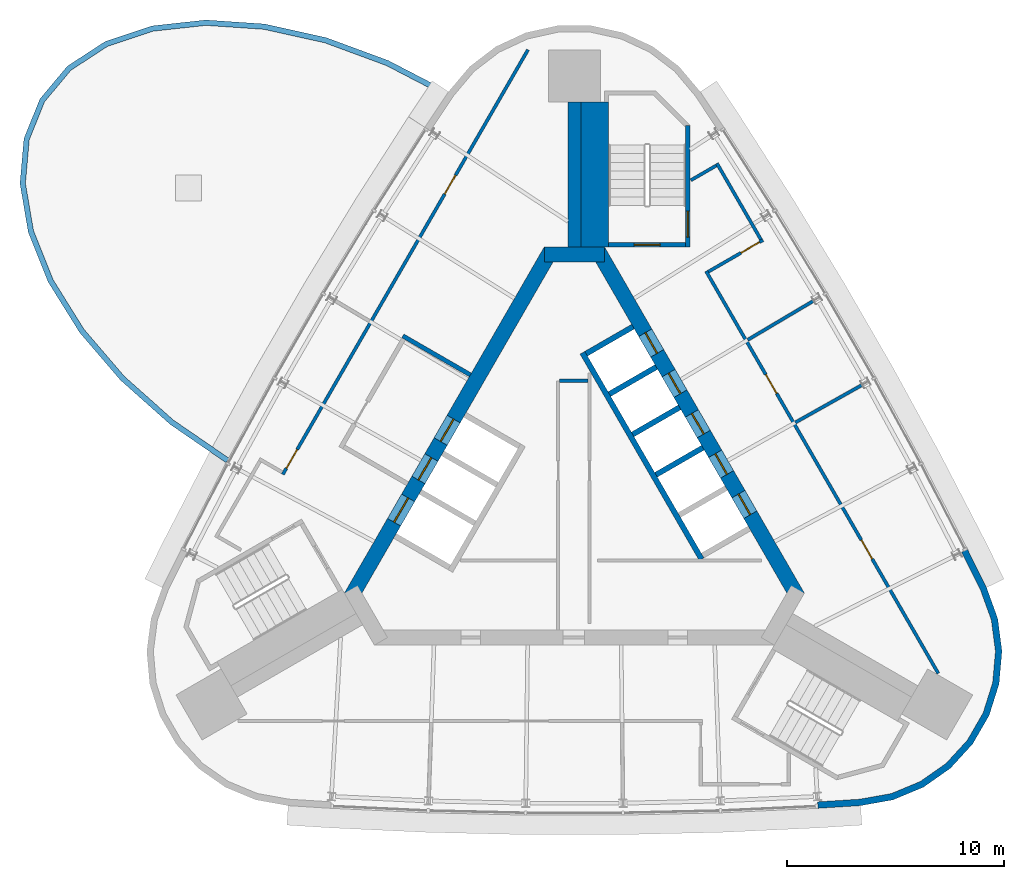
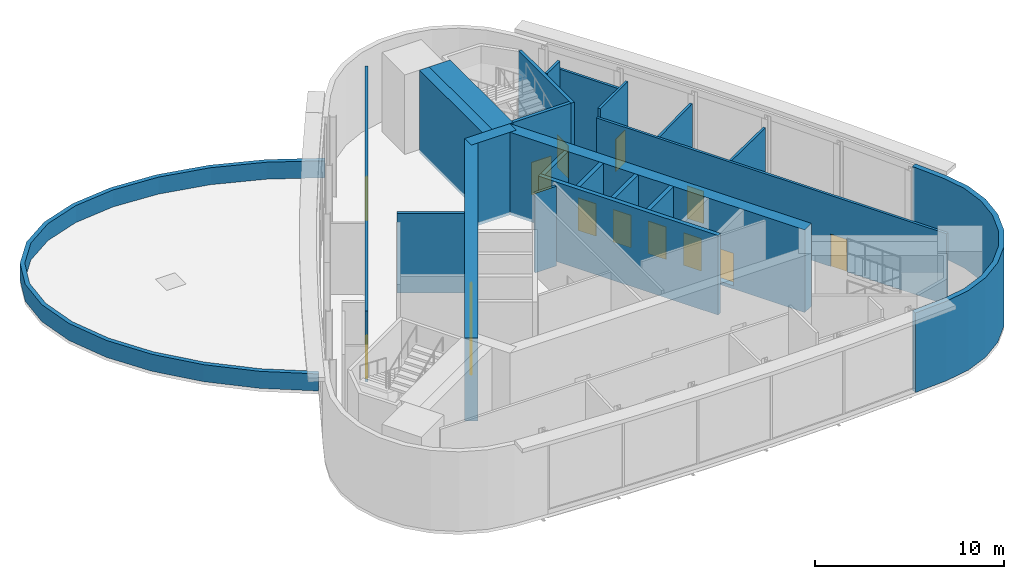
# One storey, part 5 of 8: 23 walls, 15 doors, 15 openings.
"""IFC4 building model written with IfcOpenShell, lengths in metres."""

from ifc_helpers import new_model, si_unit, direction, frame, frame_2d, origin, place, context, subcontext, project, spatial, polyline, rectangle, outline, extrude, material, layer, layer_set, type_object, element, fill, save


model = new_model("IFC4")

# Units and contexts
model_context = context("Model", 3, precision=1e-05, world=origin(), true_north=direction((0.0, 1.0)))
body_context = subcontext(model_context, "Body", "Model", "MODEL_VIEW")
ifc_project = project(units=[si_unit("LENGTHUNIT", "METRE"), si_unit("AREAUNIT", "SQUARE_METRE"), si_unit("VOLUMEUNIT", "CUBIC_METRE"), si_unit("PLANEANGLEUNIT", "RADIAN"), si_unit("MASSUNIT", "GRAM", prefix="KILO")], contexts=[model_context])

# Site, building, storey
site_placement = place(None, origin())
site = spatial("IfcSite", under=ifc_project, at=site_placement, CompositionType="ELEMENT")
building_placement = place(site_placement, origin())
building = spatial("IfcBuilding", under=site, at=building_placement, Name="Noor Cloister Tower", CompositionType="ELEMENT")
storey_placement = place(building_placement, frame((0.0, 0.0, 274.199951171875)))
storey = spatial("IfcBuildingStorey", under=building, at=storey_placement, Name="L70", CompositionType="ELEMENT", Elevation=274.199951171875)

# Walls
ifc_material_1 = material(Name="Concrete C60/75", Category="concrete")
ifc_layer_1 = layer(ifc_material_1, 0.60009765625)
ifc_layer_set_1 = layer_set([ifc_layer_1], Name="Buttress wall 600 C60/75")
wall_type_1 = type_object("IfcWallType", Name="Buttress wall 600 C60/75", PredefinedType="SHEAR", material=ifc_layer_set_1)
wall_1_placement = place(storey_placement, frame((0.0, 11.456298828125, -0.199951171875), z_axis=(0.0, 0.0, 1.0), x_axis=(0.0, 1.0, 0.0)))
element("IfcWall", 1, at=wall_1_placement, inside=storey, type_object=wall_type_1, Name="Buttress wall N L70", PredefinedType="SHEAR", context=body_context, shape_type="SweptSolid", body=[
    extrude(rectangle(XDim=6.6787109375, YDim=0.60009765625, at=frame_2d((3.33935546875, 0.0))), origin(), (0.0, 0.0, 1.0), 5.35009765625),
])
ifc_material_2 = material(Name="Concrete C30/37", Category="concrete")
ifc_layer_2 = layer(ifc_material_2, 0.14990234375)
ifc_layer_set_2 = layer_set([ifc_layer_2], Name="Core partition 150 C30/37")
wall_type_2 = type_object("IfcWallType", Name="Core partition 150 C30/37", PredefinedType="PARTITIONING", material=ifc_layer_set_2)
wall_2_placement = place(storey_placement, frame((-0.6787109375, 5.271728515625, 0.0), z_axis=(0.0, 0.0, 1.0), x_axis=(1.0, 0.0, 0.0)))
element("IfcWall", 2, at=wall_2_placement, inside=storey, type_object=wall_type_2, Name="Core room partition L70 3", PredefinedType="PARTITIONING", context=body_context, shape_type="SweptSolid", body=[
    extrude(rectangle(XDim=1.300048828125, YDim=0.14990234375, at=frame_2d((0.64990234375, 0.0))), origin(), (0.0, 0.0, 1.0), 5.150146484375),
])

# Wall, openings, doors
ifc_material_3 = material(Name="Concrete C60/75", Category="concrete")
ifc_layer_3 = layer(ifc_material_3, 0.699951171875)
ifc_layer_set_3 = layer_set([ifc_layer_3], Name="Core wall 700 C60/75")
wall_type_3 = type_object("IfcWallType", Name="Core wall 700 C60/75", PredefinedType="SHEAR", material=ifc_layer_set_3)
wall_3_placement = place(storey_placement, frame((10.311279296875, -4.703125, -0.199951171875), z_axis=(0.0, 0.0, 1.0), x_axis=(-0.500001446645, 0.866024568562, 0.0)))
wall_3 = element("IfcWall", 3, at=wall_3_placement, inside=storey, type_object=wall_type_3, Name="Core wall L70 3", PredefinedType="SHEAR", context=body_context, shape_type="SweptSolid", body=[
    extrude(rectangle(XDim=18.45751953125, YDim=0.699951171875, at=frame_2d((9.228759765625, 0.0))), origin(), (0.0, 0.0, 1.0), 5.35009765625),
])
opening_1_placement = place(wall_3_placement, frame((4.378662109375, 0.0, 0.199951171875)))
opening_1 = element("IfcOpeningElement", 4, at=opening_1_placement, cuts=wall_3, Name="Opening L70-HR1", PredefinedType="OPENING", context=body_context, shape_type="SweptSolid", body=[
    extrude(rectangle(XDim=1.10009765625, YDim=2.10009765625, at=frame_2d((0.550048828125, 1.050048828125))), frame((0.0, 0.35986328125, 0.0), z_axis=(0.0, -1.0, 0.0), x_axis=(1.0, 0.0, 0.0)), (0.0, 0.0, 1.0), 0.719970703125),
])
opening_2_placement = place(wall_3_placement, frame((6.52880859375, 0.0, 0.199951171875)))
opening_2 = element("IfcOpeningElement", 5, at=opening_2_placement, cuts=wall_3, Name="Opening L70-HR2", PredefinedType="OPENING", context=body_context, shape_type="SweptSolid", body=[
    extrude(rectangle(XDim=1.10009765625, YDim=2.10009765625, at=frame_2d((0.550048828125, 1.050048828125))), frame((0.0, 0.35986328125, 0.0), z_axis=(0.0, -1.0, 0.0), x_axis=(1.0, 0.0, 0.0)), (0.0, 0.0, 1.0), 0.719970703125),
])
opening_3_placement = place(wall_3_placement, frame((8.6787109375, 0.0, 0.199951171875)))
opening_3 = element("IfcOpeningElement", 6, at=opening_3_placement, cuts=wall_3, Name="Opening L70-HR3", PredefinedType="OPENING", context=body_context, shape_type="SweptSolid", body=[
    extrude(rectangle(XDim=1.10009765625, YDim=2.10009765625, at=frame_2d((0.550048828125, 1.050048828125))), frame((0.0, 0.35986328125, 0.0), z_axis=(0.0, -1.0, 0.0), x_axis=(1.0, 0.0, 0.0)), (0.0, 0.0, 1.0), 0.719970703125),
])
opening_4_placement = place(wall_3_placement, frame((10.82861328125, 0.0, 0.199951171875)))
opening_4 = element("IfcOpeningElement", 7, at=opening_4_placement, cuts=wall_3, Name="Opening L70-HR4", PredefinedType="OPENING", context=body_context, shape_type="SweptSolid", body=[
    extrude(rectangle(XDim=1.10009765625, YDim=2.10009765625, at=frame_2d((0.550048828125, 1.050048828125))), frame((0.0, 0.35986328125, 0.0), z_axis=(0.0, -1.0, 0.0), x_axis=(1.0, 0.0, 0.0)), (0.0, 0.0, 1.0), 0.719970703125),
])
opening_5_placement = place(wall_3_placement, frame((12.978759765625, 0.0, 0.199951171875)))
opening_5 = element("IfcOpeningElement", 8, at=opening_5_placement, cuts=wall_3, Name="Opening L70-HR5", PredefinedType="OPENING", context=body_context, shape_type="SweptSolid", body=[
    extrude(rectangle(XDim=1.10009765625, YDim=2.10009765625, at=frame_2d((0.550048828125, 1.050048828125))), frame((0.0, 0.35986328125, 0.0), z_axis=(0.0, -1.0, 0.0), x_axis=(1.0, 0.0, 0.0)), (0.0, 0.0, 1.0), 0.719970703125),
])
ifc_material_4 = material(Name="Stainless steel", Category="steel")
door_type_1 = type_object("IfcDoorType", Name="Lift landing door 1100 x 2100", OperationType="DOUBLE_DOOR_SLIDING", PredefinedType="DOOR", material=ifc_material_4)
door_1_placement = place(opening_1_placement, origin())
door_1 = element("IfcDoor", 9, at=door_1_placement, inside=storey, type_object=door_type_1, Name="Landing door HR1 L70", OperationType="DOUBLE_DOOR_SLIDING", OverallHeight=2.10009765625, OverallWidth=1.10009765625, PredefinedType="DOOR", context=body_context, shape_type="SweptSolid", body=[
    extrude(rectangle(XDim=1.10009765625, YDim=2.10009765625, at=frame_2d((0.550048828125, 1.050048828125))), frame((0.0, 0.02490234375, 0.0), z_axis=(0.0, -1.0, 0.0), x_axis=(1.0, 0.0, 0.0)), (0.0, 0.0, 1.0), 0.050048828125),
])
fill(opening_1, door_1)
door_2_placement = place(opening_2_placement, origin())
door_2 = element("IfcDoor", 10, at=door_2_placement, inside=storey, type_object=door_type_1, Name="Landing door HR2 L70", OperationType="DOUBLE_DOOR_SLIDING", OverallHeight=2.10009765625, OverallWidth=1.10009765625, PredefinedType="DOOR", context=body_context, shape_type="SweptSolid", body=[
    extrude(rectangle(XDim=1.10009765625, YDim=2.10009765625, at=frame_2d((0.550048828125, 1.050048828125))), frame((0.0, 0.02490234375, 0.0), z_axis=(0.0, -1.0, 0.0), x_axis=(1.0, 0.0, 0.0)), (0.0, 0.0, 1.0), 0.050048828125),
])
fill(opening_2, door_2)
door_3_placement = place(opening_3_placement, origin())
door_3 = element("IfcDoor", 11, at=door_3_placement, inside=storey, type_object=door_type_1, Name="Landing door HR3 L70", OperationType="DOUBLE_DOOR_SLIDING", OverallHeight=2.10009765625, OverallWidth=1.10009765625, PredefinedType="DOOR", context=body_context, shape_type="SweptSolid", body=[
    extrude(rectangle(XDim=1.10009765625, YDim=2.10009765625, at=frame_2d((0.550048828125, 1.050048828125))), frame((0.0, 0.02490234375, 0.0), z_axis=(0.0, -1.0, 0.0), x_axis=(1.0, 0.0, 0.0)), (0.0, 0.0, 1.0), 0.050048828125),
])
fill(opening_3, door_3)
door_4_placement = place(opening_4_placement, origin())
door_4 = element("IfcDoor", 12, at=door_4_placement, inside=storey, type_object=door_type_1, Name="Landing door HR4 L70", OperationType="DOUBLE_DOOR_SLIDING", OverallHeight=2.10009765625, OverallWidth=1.10009765625, PredefinedType="DOOR", context=body_context, shape_type="SweptSolid", body=[
    extrude(rectangle(XDim=1.10009765625, YDim=2.10009765625, at=frame_2d((0.550048828125, 1.050048828125))), frame((0.0, 0.02490234375, 0.0), z_axis=(0.0, -1.0, 0.0), x_axis=(1.0, 0.0, 0.0)), (0.0, 0.0, 1.0), 0.050048828125),
])
fill(opening_4, door_4)
door_5_placement = place(opening_5_placement, origin())
door_5 = element("IfcDoor", 13, at=door_5_placement, inside=storey, type_object=door_type_1, Name="Landing door HR5 L70", OperationType="DOUBLE_DOOR_SLIDING", OverallHeight=2.10009765625, OverallWidth=1.10009765625, PredefinedType="DOOR", context=body_context, shape_type="SweptSolid", body=[
    extrude(rectangle(XDim=1.10009765625, YDim=2.10009765625, at=frame_2d((0.550048828125, 1.050048828125))), frame((0.0, 0.02490234375, 0.0), z_axis=(0.0, -1.0, 0.0), x_axis=(1.0, 0.0, 0.0)), (0.0, 0.0, 1.0), 0.050048828125),
])
fill(opening_5, door_5)

# Wall
wall_4_placement = place(storey_placement, frame((1.3857421875, 11.1064453125, -0.199951171875), z_axis=(0.0, 0.0, 1.0), x_axis=(-1.0, 0.0, 0.0)))
element("IfcWall", 14, at=wall_4_placement, inside=storey, type_object=wall_type_3, Name="Core wall L70 4", PredefinedType="SHEAR", context=body_context, shape_type="SweptSolid", body=[
    extrude(rectangle(XDim=2.771484375, YDim=0.699951171875, at=frame_2d((1.3857421875, 0.0))), origin(), (0.0, 0.0, 1.0), 5.35009765625),
])

# Wall, openings, doors
wall_5_placement = place(storey_placement, frame((-1.08251953125, 11.281494140625, -0.199951171875), z_axis=(0.0, 0.0, 1.0), x_axis=(-0.500001446645, -0.866024568562, 0.0)))
wall_5 = element("IfcWall", 15, at=wall_5_placement, inside=storey, type_object=wall_type_3, Name="Core wall L70 5", PredefinedType="SHEAR", context=body_context, shape_type="SweptSolid", body=[
    extrude(rectangle(XDim=18.45751953125, YDim=0.699951171875, at=frame_2d((9.228759765625, 0.0))), origin(), (0.0, 0.0, 1.0), 5.35009765625),
])
opening_6_placement = place(wall_5_placement, frame((8.978759765625, 0.0, 0.199951171875)))
opening_6 = element("IfcOpeningElement", 16, at=opening_6_placement, cuts=wall_5, Name="Opening L70-FF1", PredefinedType="OPENING", context=body_context, shape_type="SweptSolid", body=[
    extrude(rectangle(XDim=1.199951171875, YDim=2.10009765625, at=frame_2d((0.60009765625, 1.050048828125))), frame((0.0, 0.35986328125, 0.0), z_axis=(0.0, -1.0, 0.0), x_axis=(1.0, 0.0, 0.0)), (0.0, 0.0, 1.0), 0.719970703125),
])
opening_7_placement = place(wall_5_placement, frame((11.02880859375, 0.0, 0.199951171875)))
opening_7 = element("IfcOpeningElement", 17, at=opening_7_placement, cuts=wall_5, Name="Opening L70-FF2", PredefinedType="OPENING", context=body_context, shape_type="SweptSolid", body=[
    extrude(rectangle(XDim=1.199951171875, YDim=2.10009765625, at=frame_2d((0.60009765625, 1.050048828125))), frame((0.0, 0.35986328125, 0.0), z_axis=(0.0, -1.0, 0.0), x_axis=(1.0, 0.0, 0.0)), (0.0, 0.0, 1.0), 0.719970703125),
])
opening_8_placement = place(wall_5_placement, frame((13.1787109375, 0.0, 0.199951171875)))
opening_8 = element("IfcOpeningElement", 18, at=opening_8_placement, cuts=wall_5, Name="Opening L70-OB1", PredefinedType="OPENING", context=body_context, shape_type="SweptSolid", body=[
    extrude(rectangle(XDim=1.300048828125, YDim=2.10009765625, at=frame_2d((0.64990234375, 1.050048828125))), frame((0.0, 0.35986328125, 0.0), z_axis=(0.0, -1.0, 0.0), x_axis=(1.0, 0.0, 0.0)), (0.0, 0.0, 1.0), 0.719970703125),
])
ifc_material_5 = material(Name="Stainless steel", Category="steel")
door_type_2 = type_object("IfcDoorType", Name="Lift landing door 1200 x 2100", OperationType="DOUBLE_DOOR_SLIDING", PredefinedType="DOOR", material=ifc_material_5)
door_6_placement = place(opening_6_placement, origin())
door_6 = element("IfcDoor", 19, at=door_6_placement, inside=storey, type_object=door_type_2, Name="Landing door FF1 L70", OperationType="DOUBLE_DOOR_SLIDING", OverallHeight=2.10009765625, OverallWidth=1.199951171875, PredefinedType="DOOR", context=body_context, shape_type="SweptSolid", body=[
    extrude(rectangle(XDim=1.199951171875, YDim=2.10009765625, at=frame_2d((0.60009765625, 1.050048828125))), frame((0.0, 0.02490234375, 0.0), z_axis=(0.0, -1.0, 0.0), x_axis=(1.0, 0.0, 0.0)), (0.0, 0.0, 1.0), 0.050048828125),
])
fill(opening_6, door_6)
door_7_placement = place(opening_7_placement, origin())
door_7 = element("IfcDoor", 20, at=door_7_placement, inside=storey, type_object=door_type_2, Name="Landing door FF2 L70", OperationType="DOUBLE_DOOR_SLIDING", OverallHeight=2.10009765625, OverallWidth=1.199951171875, PredefinedType="DOOR", context=body_context, shape_type="SweptSolid", body=[
    extrude(rectangle(XDim=1.199951171875, YDim=2.10009765625, at=frame_2d((0.60009765625, 1.050048828125))), frame((0.0, 0.02490234375, 0.0), z_axis=(0.0, -1.0, 0.0), x_axis=(1.0, 0.0, 0.0)), (0.0, 0.0, 1.0), 0.050048828125),
])
fill(opening_7, door_7)
ifc_material_6 = material(Name="Stainless steel", Category="steel")
door_type_3 = type_object("IfcDoorType", Name="Lift landing door 1300 x 2100", OperationType="DOUBLE_DOOR_SLIDING", PredefinedType="DOOR", material=ifc_material_6)
door_8_placement = place(opening_8_placement, origin())
door_8 = element("IfcDoor", 21, at=door_8_placement, inside=storey, type_object=door_type_3, Name="Landing door OB1 L70", OperationType="DOUBLE_DOOR_SLIDING", OverallHeight=2.10009765625, OverallWidth=1.300048828125, PredefinedType="DOOR", context=body_context, shape_type="SweptSolid", body=[
    extrude(rectangle(XDim=1.300048828125, YDim=2.10009765625, at=frame_2d((0.64990234375, 1.050048828125))), frame((0.0, 0.02490234375, 0.0), z_axis=(0.0, -1.0, 0.0), x_axis=(1.0, 0.0, 0.0)), (0.0, 0.0, 1.0), 0.050048828125),
])
fill(opening_8, door_8)

# Walls
ifc_material_7 = material(Name="Limestone", Category="masonry")
ifc_layer_4 = layer(ifc_material_7, 0.300048828125)
ifc_layer_set_4 = layer_set([ifc_layer_4], Name="Limestone cladding 300")
wall_type_4 = type_object("IfcWallType", Name="Limestone cladding 300", PredefinedType="NOTDEFINED", material=ifc_layer_set_4)
wall_6_placement = place(storey_placement, origin())
element("IfcWall", 22, at=wall_6_placement, inside=storey, type_object=wall_type_4, Name="Limestone pier cladding L70 2.1", PredefinedType="NOTDEFINED", context=body_context, shape_type="SweptSolid", body=[
    extrude(outline(polyline([(11.24365234375, -14.46044921875), (13.21142578125, -14.336181640625), (14.707763671875, -14.068603515625), (16.11083984375, -13.484619140625), (17.35498046875, -12.611083984375), (18.381103515625, -11.489990234375), (19.14111328125, -10.173583984375), (19.59912109375, -8.724365234375), (19.7333984375, -7.210205078125), (19.53759765625, -5.702880859375), (19.021240234375, -4.2734375), (18.14501953125, -2.507080078125), (17.876220703125, -2.640380859375), (18.744873046875, -4.391357421875), (19.244384765625, -5.77392578125), (19.431640625, -7.21630859375), (19.30322265625, -8.6650390625), (18.864990234375, -10.052001953125), (18.1376953125, -11.3115234375), (17.15576171875, -12.384521484375), (15.96533203125, -13.22021484375), (14.62255859375, -13.779052734375), (13.175537109375, -14.037841796875), (11.224853515625, -14.1611328125), (11.24365234375, -14.46044921875)])), origin(), (0.0, 0.0, 1.0), 5.150146484375),
])
ifc_material_8 = material(Name="Limestone", Category="masonry")
ifc_layer_5 = layer(ifc_material_8, 0.25)
ifc_layer_set_5 = layer_set([ifc_layer_5], Name="Limestone parapet 250")
wall_type_5 = type_object("IfcWallType", Name="Limestone parapet 250", PredefinedType="PARAPET", material=ifc_layer_set_5)
wall_7_placement = place(storey_placement, origin())
element("IfcWall", 23, at=wall_7_placement, inside=storey, type_object=wall_type_5, Name="Sky bar 5 roof parapet", PredefinedType="PARAPET", context=body_context, shape_type="SweptSolid", body=[
    extrude(outline(polyline([(-5.809814453125, 18.609619140625), (-8.585205078125, 20.05078125), (-11.451416015625, 21.107421875), (-14.298095703125, 21.7392578125), (-17.015869140625, 21.921875), (-19.500244140625, 21.6484375), (-21.65576171875, 20.928955078125), (-23.399658203125, 19.79150390625), (-24.6650390625, 18.27978515625), (-25.403076171875, 16.45166015625), (-25.58544921875, 14.377685546875), (-25.205078125, 12.13720703125), (-24.276611328125, 9.816650390625), (-22.8359375, 7.5048828125), (-20.938232421875, 5.291015625), (-18.65625, 3.260009765625), (-16.078125, 1.489990234375), (-15.936767578125, 1.6962890625), (-18.501953125, 3.457275390625), (-20.75927734375, 5.466552734375), (-22.6337890625, 7.6533203125), (-24.052734375, 9.93017578125), (-24.962890625, 12.205322265625), (-25.33349609375, 14.3876953125), (-25.1572265625, 16.392822265625), (-24.447998046875, 18.149658203125), (-23.23193359375, 19.6025390625), (-21.546142578125, 20.7021484375), (-19.4462890625, 21.40283203125), (-17.010498046875, 21.671142578125), (-14.333740234375, 21.4912109375), (-11.52197265625, 20.8671875), (-8.6865234375, 19.821533203125), (-5.925048828125, 18.3876953125), (-5.809814453125, 18.609619140625)])), origin(), (0.0, 0.0, 1.0), 1.10009765625),
])
ifc_material_9 = material(Name="Concrete C60/75", Category="concrete")
ifc_layer_6 = layer(ifc_material_9, 0.25)
ifc_layer_set_6 = layer_set([ifc_layer_6], Name="Shaft wall 250 C60/75")
wall_type_6 = type_object("IfcWallType", Name="Shaft wall 250 C60/75", PredefinedType="PARTITIONING", material=ifc_layer_set_6)
wall_8_placement = place(storey_placement, frame((5.931396484375, 2.18310546875, -0.199951171875), z_axis=(0.0, 0.0, 1.0), x_axis=(-0.866047370643, -0.499961950354, 0.0)))
element("IfcWall", 24, at=wall_8_placement, inside=storey, type_object=wall_type_6, Name="Lift shaft wall L70 NE 3", PredefinedType="PARTITIONING", context=body_context, shape_type="SweptSolid", body=[
    extrude(rectangle(XDim=2.500244140625, YDim=0.25, at=frame_2d((1.25, 0.0))), origin(), (0.0, 0.0, 1.0), 5.35009765625),
])
for number, where, z_axis, x_axis, name in (
    (25, (4.856201171875, 4.045166015625, -0.199951171875), (0.0, 0.0, 1.0), (-0.866022959057, -0.500004234368, 0.0), "Lift shaft wall L70 NE 4"),
    (26, (3.78125, 5.906982421875, -0.199951171875), (0.0, 0.0, 1.0), (-0.866022959057, -0.500004234368, 0.0), "Lift shaft wall L70 NE 5"),
    (27, (2.706298828125, 7.76904296875, -0.199951171875), (0.0, 0.0, 1.0), (-0.866022959057, -0.500004234368, 0.0), "Lift shaft wall L70 NE 6"),
):
    element("IfcWall", number, at=place(storey_placement, frame(where, z_axis=z_axis, x_axis=x_axis)), inside=storey, type_object=wall_type_6, Name=name, PredefinedType="PARTITIONING", context=body_context, shape_type="SweptSolid", body=[
        extrude(rectangle(XDim=2.5, YDim=0.25, at=frame_2d((1.25, 0.0))), origin(), (0.0, 0.0, 1.0), 5.35009765625),
    ])
wall_9_placement = place(storey_placement, frame((5.870361328125, -2.96142578125, 0.0), z_axis=(0.0, 0.0, 1.0), x_axis=(-0.50000615651, 0.866021849293, 0.0)))
element("IfcWall", 28, at=wall_9_placement, inside=storey, type_object=wall_type_6, Name="Lift shaft back wall L70 NE", PredefinedType="PARTITIONING", context=body_context, shape_type="SweptSolid", body=[
    extrude(rectangle(XDim=10.999755859375, YDim=0.25, at=frame_2d((5.5, 0.0))), origin(), (0.0, 0.0, 1.0), 5.150146484375),
])
ifc_material_10 = material(Name="Concrete C60/75", Category="concrete")
ifc_layer_7 = layer(ifc_material_10, 1.285888671875)
ifc_layer_set_7 = layer_set([ifc_layer_7], Name="Stair enclosure wall 1286 C60/75")
wall_type_7 = type_object("IfcWallType", Name="Stair enclosure wall 1286 C60/75", PredefinedType="SHEAR", material=ifc_layer_set_7)
wall_10_placement = place(storey_placement, frame((0.94287109375, 11.456298828125, -0.199951171875), z_axis=(0.0, 0.0, 1.0), x_axis=(0.0, 1.0, 0.0)))
element("IfcWall", 29, at=wall_10_placement, inside=storey, type_object=wall_type_7, Name="Stair enclosure wall ST1 L70 riser side", PredefinedType="SHEAR", context=body_context, shape_type="SweptSolid", body=[
    extrude(rectangle(XDim=6.6787109375, YDim=1.28564453125, at=frame_2d((3.33935546875, 0.0))), origin(), (0.0, 0.0, 1.0), 5.35009765625),
])

# Wall, opening, door
ifc_material_11 = material(Name="Concrete C60/75", Category="concrete")
ifc_layer_8 = layer(ifc_material_11, 0.199951171875)
ifc_layer_set_8 = layer_set([ifc_layer_8], Name="Stair enclosure wall 200 C60/75")
wall_type_8 = type_object("IfcWallType", Name="Stair enclosure wall 200 C60/75", PredefinedType="SHEAR", material=ifc_layer_set_8)
wall_11_placement = place(storey_placement, frame((5.135498046875, 11.556396484375, -0.199951171875), z_axis=(0.0, 0.0, 1.0), x_axis=(-1.0, 0.0, 0.0)))
wall_11 = element("IfcWall", 30, at=wall_11_placement, inside=storey, type_object=wall_type_8, Name="Stair enclosure wall ST1 L70 near end", PredefinedType="SHEAR", context=body_context, shape_type="SweptSolid", body=[
    extrude(rectangle(XDim=3.5498046875, YDim=0.199951171875, at=frame_2d((1.77490234375, 0.0))), origin(), (0.0, 0.0, 1.0), 5.35009765625),
])
opening_9_placement = place(wall_11_placement, frame((1.175048828125, 0.0, 0.199951171875)))
opening_9 = element("IfcOpeningElement", 31, at=opening_9_placement, cuts=wall_11, Name="Opening L70-ST1L", PredefinedType="OPENING", context=body_context, shape_type="SweptSolid", body=[
    extrude(rectangle(XDim=1.199951171875, YDim=2.10009765625, at=frame_2d((0.60009765625, 1.050048828125))), frame((0.0, 0.10986328125, 0.0), z_axis=(0.0, -1.0, 0.0), x_axis=(1.0, 0.0, 0.0)), (0.0, 0.0, 1.0), 0.219970703125),
])
ifc_material_12 = material(Name="Steel", Category="steel")
door_type_4 = type_object("IfcDoorType", Name="Stair door 1200 x 2100 FD120", OperationType="SINGLE_SWING_LEFT", PredefinedType="DOOR", material=ifc_material_12)
door_9_placement = place(opening_9_placement, origin())
door_9 = element("IfcDoor", 32, at=door_9_placement, inside=storey, type_object=door_type_4, Name="Stair door ST1 L70", OperationType="SINGLE_SWING_RIGHT", OverallHeight=2.10009765625, OverallWidth=1.199951171875, PredefinedType="DOOR", context=body_context, shape_type="SweptSolid", body=[
    extrude(rectangle(XDim=1.199951171875, YDim=2.10009765625, at=frame_2d((0.60009765625, 1.050048828125))), frame((0.0, 0.02490234375, 0.0), z_axis=(0.0, -1.0, 0.0), x_axis=(1.0, 0.0, 0.0)), (0.0, 0.0, 1.0), 0.050048828125),
])
fill(opening_9, door_9)

wall_12_placement = place(storey_placement, frame((5.235595703125, 11.456298828125, -0.199951171875), z_axis=(0.0, 0.0, 1.0), x_axis=(0.0, 1.0, 0.0)))
wall_12 = element("IfcWall", 33, at=wall_12_placement, inside=storey, type_object=wall_type_8, Name="Stair enclosure wall ST1 L70 outer side", PredefinedType="SHEAR", context=body_context, shape_type="SweptSolid", body=[
    extrude(rectangle(XDim=5.60009765625, YDim=0.199951171875, at=frame_2d((2.800048828125, 0.0))), origin(), (0.0, 0.0, 1.0), 5.35009765625),
])
opening_10_placement = place(wall_12_placement, frame((0.449951171875, 0.0, 0.199951171875)))
opening_10 = element("IfcOpeningElement", 34, at=opening_10_placement, cuts=wall_12, Name="Opening L70-ST1C", PredefinedType="OPENING", context=body_context, shape_type="SweptSolid", body=[
    extrude(rectangle(XDim=1.199951171875, YDim=2.10009765625, at=frame_2d((0.60009765625, 1.050048828125))), frame((0.0, 0.10986328125, 0.0), z_axis=(0.0, -1.0, 0.0), x_axis=(1.0, 0.0, 0.0)), (0.0, 0.0, 1.0), 0.219970703125),
])
door_10_placement = place(opening_10_placement, origin())
door_10 = element("IfcDoor", 35, at=door_10_placement, inside=storey, type_object=door_type_4, Name="Stair door ST1 L70", OperationType="SINGLE_SWING_LEFT", OverallHeight=2.10009765625, OverallWidth=1.199951171875, PredefinedType="DOOR", context=body_context, shape_type="SweptSolid", body=[
    extrude(rectangle(XDim=1.199951171875, YDim=2.10009765625, at=frame_2d((0.60009765625, 1.050048828125))), frame((0.0, 0.02490234375, 0.0), z_axis=(0.0, -1.0, 0.0), x_axis=(1.0, 0.0, 0.0)), (0.0, 0.0, 1.0), 0.050048828125),
])
fill(opening_10, door_10)

# Wall, openings, doors
ifc_material_13 = material(Name="Fire-rated gypsum board partition on steel studs, 150 mm", Category="steel")
ifc_layer_9 = layer(ifc_material_13, 0.14990234375)
ifc_layer_set_9 = layer_set([ifc_layer_9], Name="Upper floor corridor wall 150")
wall_type_9 = type_object("IfcWallType", Name="Upper floor corridor wall 150", PredefinedType="PARTITIONING", material=ifc_layer_set_9)
wall_13_placement = place(storey_placement, frame((-13.45654296875, 0.94873046875, 0.0), z_axis=(0.0, 0.0, 1.0), x_axis=(0.500001340499, 0.866024629845, 0.0)))
wall_13 = element("IfcWall", 36, at=wall_13_placement, inside=storey, type_object=wall_type_9, Name="Upper floor corridor wall 150 L70 004", PredefinedType="PARTITIONING", context=body_context, shape_type="SweptSolid", body=[
    extrude(rectangle(XDim=22.63232421875, YDim=0.14990234375, at=frame_2d((11.316162109375, 0.0))), origin(), (0.0, 0.0, 1.0), 4.60205078125),
])
opening_11_placement = place(wall_13_placement, frame((14.94287109375, 0.0, 0.0)))
opening_11 = element("IfcOpeningElement", 37, at=opening_11_placement, cuts=wall_13, Name="Opening L70-001", PredefinedType="OPENING", context=body_context, shape_type="SweptSolid", body=[
    extrude(rectangle(XDim=1.0, YDim=2.10009765625, at=frame_2d((0.5, 1.050048828125))), frame((0.0, 0.0849609375, 0.0), z_axis=(0.0, -1.0, 0.0), x_axis=(1.0, 0.0, 0.0)), (0.0, 0.0, 1.0), 0.169921875),
])
opening_12_placement = place(wall_13_placement, frame((0.3291015625, 0.0, 0.0)))
opening_12 = element("IfcOpeningElement", 38, at=opening_12_placement, cuts=wall_13, Name="Opening L70-002", PredefinedType="OPENING", context=body_context, shape_type="SweptSolid", body=[
    extrude(rectangle(XDim=1.0, YDim=2.10009765625, at=frame_2d((0.5, 1.050048828125))), frame((0.0, 0.0849609375, 0.0), z_axis=(0.0, -1.0, 0.0), x_axis=(1.0, 0.0, 0.0)), (0.0, 0.0, 1.0), 0.169921875),
])
ifc_material_14 = material(Name="Timber door leaf with steel frame", Category="steel")
door_type_5 = type_object("IfcDoorType", Name="Public room door 1000", OperationType="NOTDEFINED", PredefinedType="DOOR", material=ifc_material_14)
door_11_placement = place(opening_11_placement, origin())
door_11 = element("IfcDoor", 39, at=door_11_placement, inside=storey, type_object=door_type_5, Name="Public room door 1000 L70-001", OperationType="SINGLE_SWING_RIGHT", OverallHeight=2.10009765625, OverallWidth=1.0, PredefinedType="DOOR", context=body_context, shape_type="SweptSolid", body=[
    extrude(rectangle(XDim=1.0, YDim=2.10009765625, at=frame_2d((0.5, 1.050048828125))), frame((0.0, 0.02490234375, 0.0), z_axis=(0.0, -1.0, 0.0), x_axis=(1.0, 0.0, 0.0)), (0.0, 0.0, 1.0), 0.050048828125),
])
fill(opening_11, door_11)
ifc_material_15 = material(Name="Timber door leaf with steel frame", Category="steel")
door_type_6 = type_object("IfcDoorType", Name="Staff room door 1000", OperationType="NOTDEFINED", PredefinedType="DOOR", material=ifc_material_15)
door_12_placement = place(opening_12_placement, origin())
door_12 = element("IfcDoor", 40, at=door_12_placement, inside=storey, type_object=door_type_6, Name="Staff room door 1000 L70-002", OperationType="SINGLE_SWING_LEFT", OverallHeight=2.10009765625, OverallWidth=1.0, PredefinedType="DOOR", context=body_context, shape_type="SweptSolid", body=[
    extrude(rectangle(XDim=1.0, YDim=2.10009765625, at=frame_2d((0.5, 1.050048828125))), frame((0.0, 0.02490234375, 0.0), z_axis=(0.0, -1.0, 0.0), x_axis=(1.0, 0.0, 0.0)), (0.0, 0.0, 1.0), 0.050048828125),
])
fill(opening_12, door_12)

wall_14_placement = place(storey_placement, frame((6.077880859375, 10.329345703125, 0.0), z_axis=(0.0, 0.0, 1.0), x_axis=(0.499992222505, -0.866029894076, 0.0)))
wall_14 = element("IfcWall", 41, at=wall_14_placement, inside=storey, type_object=wall_type_9, Name="Upper floor corridor wall 150 L70 015", PredefinedType="PARTITIONING", context=body_context, shape_type="SweptSolid", body=[
    extrude(rectangle(XDim=21.438720703125, YDim=0.14990234375, at=frame_2d((10.71923828125, 0.0))), origin(), (0.0, 0.0, 1.0), 4.60205078125),
])
opening_13_placement = place(wall_14_placement, frame((14.33740234375, 0.0, 0.0)))
opening_13 = element("IfcOpeningElement", 42, at=opening_13_placement, cuts=wall_14, Name="Opening L70-008", PredefinedType="OPENING", context=body_context, shape_type="SweptSolid", body=[
    extrude(rectangle(XDim=1.0, YDim=2.10009765625, at=frame_2d((0.5, 1.050048828125))), frame((0.0, 0.0849609375, 0.0), z_axis=(0.0, -1.0, 0.0), x_axis=(1.0, 0.0, 0.0)), (0.0, 0.0, 1.0), 0.169921875),
])
opening_14_placement = place(wall_14_placement, frame((5.510498046875, 0.0, 0.0)))
opening_14 = element("IfcOpeningElement", 43, at=opening_14_placement, cuts=wall_14, Name="Opening L70-009", PredefinedType="OPENING", context=body_context, shape_type="SweptSolid", body=[
    extrude(rectangle(XDim=1.0, YDim=2.10009765625, at=frame_2d((0.5, 1.050048828125))), frame((0.0, 0.0849609375, 0.0), z_axis=(0.0, -1.0, 0.0), x_axis=(1.0, 0.0, 0.0)), (0.0, 0.0, 1.0), 0.169921875),
])
door_13_placement = place(opening_13_placement, origin())
door_13 = element("IfcDoor", 44, at=door_13_placement, inside=storey, type_object=door_type_5, Name="Public room door 1000 L70-008", OperationType="SINGLE_SWING_RIGHT", OverallHeight=2.10009765625, OverallWidth=1.0, PredefinedType="DOOR", context=body_context, shape_type="SweptSolid", body=[
    extrude(rectangle(XDim=1.0, YDim=2.10009765625, at=frame_2d((0.5, 1.050048828125))), frame((0.0, 0.02490234375, 0.0), z_axis=(0.0, -1.0, 0.0), x_axis=(1.0, 0.0, 0.0)), (0.0, 0.0, 1.0), 0.050048828125),
])
fill(opening_13, door_13)
door_14_placement = place(opening_14_placement, origin())
door_14 = element("IfcDoor", 45, at=door_14_placement, inside=storey, type_object=door_type_5, Name="Public room door 1000 L70-009", OperationType="SINGLE_SWING_LEFT", OverallHeight=2.10009765625, OverallWidth=1.0, PredefinedType="DOOR", context=body_context, shape_type="SweptSolid", body=[
    extrude(rectangle(XDim=1.0, YDim=2.10009765625, at=frame_2d((0.5, 1.050048828125))), frame((0.0, 0.02490234375, 0.0), z_axis=(0.0, -1.0, 0.0), x_axis=(1.0, 0.0, 0.0)), (0.0, 0.0, 1.0), 0.050048828125),
])
fill(opening_14, door_14)

# Walls
for number, where, z_axis, x_axis, name in (
    (46, (10.197021484375, 3.346435546875, 0.0), (0.0, 0.0, 1.0), (0.871768609547, 0.489917841488, 0.0), "Upper floor corridor wall 150 L70 016"),
    (47, (7.99658203125, 7.15771484375, 0.0), (0.0, 0.0, 1.0), (0.860167325151, 0.510011933921, 0.0), "Upper floor corridor wall 150 L70 017"),
):
    element("IfcWall", number, at=place(storey_placement, frame(where, z_axis=z_axis, x_axis=x_axis)), inside=storey, type_object=wall_type_9, Name=name, PredefinedType="PARTITIONING", context=body_context, shape_type="SweptSolid", body=[
        extrude(rectangle(XDim=3.544677734375, YDim=0.14990234375, at=frame_2d((1.7724609375, 0.0))), origin(), (0.0, 0.0, 1.0), 4.60205078125),
    ])

# Wall, opening, door
wall_15_placement = place(storey_placement, frame((6.17919921875, 10.3037109375, 0.0), z_axis=(0.0, 0.0, 1.0), x_axis=(0.866049218703, 0.499958749083, 0.0)))
wall_15 = element("IfcWall", 48, at=wall_15_placement, inside=storey, type_object=wall_type_9, Name="Upper floor corridor wall 150 L70 018", PredefinedType="PARTITIONING", context=body_context, shape_type="SweptSolid", body=[
    extrude(rectangle(XDim=2.921630859375, YDim=0.14990234375, at=frame_2d((1.4609375, 0.0))), origin(), (0.0, 0.0, 1.0), 5.150146484375),
])
opening_15_placement = place(wall_15_placement, frame((1.735595703125, 0.0, 0.0)))
opening_15 = element("IfcOpeningElement", 49, at=opening_15_placement, cuts=wall_15, Name="Opening L70-010", PredefinedType="OPENING", context=body_context, shape_type="SweptSolid", body=[
    extrude(rectangle(XDim=1.0, YDim=2.10009765625, at=frame_2d((0.5, 1.050048828125))), frame((0.0, 0.0849609375, 0.0), z_axis=(0.0, -1.0, 0.0), x_axis=(1.0, 0.0, 0.0)), (0.0, 0.0, 1.0), 0.169921875),
])
door_15_placement = place(opening_15_placement, origin())
door_15 = element("IfcDoor", 50, at=door_15_placement, inside=storey, type_object=door_type_6, Name="Staff room door 1000 L70-010", OperationType="SINGLE_SWING_RIGHT", OverallHeight=2.10009765625, OverallWidth=1.0, PredefinedType="DOOR", context=body_context, shape_type="SweptSolid", body=[
    extrude(rectangle(XDim=1.0, YDim=2.10009765625, at=frame_2d((0.5, 1.050048828125))), frame((0.0, 0.02490234375, 0.0), z_axis=(0.0, -1.0, 0.0), x_axis=(1.0, 0.0, 0.0)), (0.0, 0.0, 1.0), 0.050048828125),
])
fill(opening_15, door_15)

# Walls
wall_16_placement = place(storey_placement, frame((8.60693359375, 11.7919921875, 0.0), z_axis=(0.0, 0.0, 1.0), x_axis=(-0.499994954979, 0.866028316509, 0.0)))
element("IfcWall", 51, at=wall_16_placement, inside=storey, type_object=wall_type_9, Name="Upper floor corridor wall 150 L70 019", PredefinedType="PARTITIONING", context=body_context, shape_type="SweptSolid", body=[
    extrude(rectangle(XDim=4.05859375, YDim=0.14990234375, at=frame_2d((2.029296875, 0.0))), origin(), (0.0, 0.0, 1.0), 4.60205078125),
])
wall_17_placement = place(storey_placement, frame((6.550048828125, 15.20458984375, 0.0), z_axis=(0.0, 0.0, 1.0), x_axis=(-0.865979171045, -0.500080068905, 0.0)))
element("IfcWall", 52, at=wall_17_placement, inside=storey, type_object=wall_type_9, Name="Upper floor corridor wall 150 L70 020", PredefinedType="PARTITIONING", context=body_context, shape_type="SweptSolid", body=[
    extrude(rectangle(XDim=1.359130859375, YDim=0.14990234375, at=frame_2d((0.6796875, 0.0))), origin(), (0.0, 0.0, 1.0), 5.150146484375),
])
ifc_material_16 = material(Name="Concrete block wall, 200 mm", Category="concrete")
ifc_layer_10 = layer(ifc_material_16, 0.199951171875)
ifc_layer_set_10 = layer_set([ifc_layer_10], Name="Upper floor plant room wall 200")
wall_type_10 = type_object("IfcWallType", Name="Upper floor plant room wall 200", PredefinedType="PARTITIONING", material=ifc_layer_set_10)
wall_18_placement = place(storey_placement, frame((-4.800048828125, 5.54248046875, 0.0), z_axis=(0.0, 0.0, 1.0), x_axis=(-0.866017220491, 0.500014173611, 0.0)))
element("IfcWall", 53, at=wall_18_placement, inside=storey, type_object=wall_type_10, Name="Upper floor plant room wall 200 L70 001", PredefinedType="PARTITIONING", context=body_context, shape_type="SweptSolid", body=[
    extrude(rectangle(XDim=3.59814453125, YDim=0.199951171875, at=frame_2d((1.799072265625, 0.0))), origin(), (0.0, 0.0, 1.0), 5.150146484375),
])

save(model, "model.ifc")
